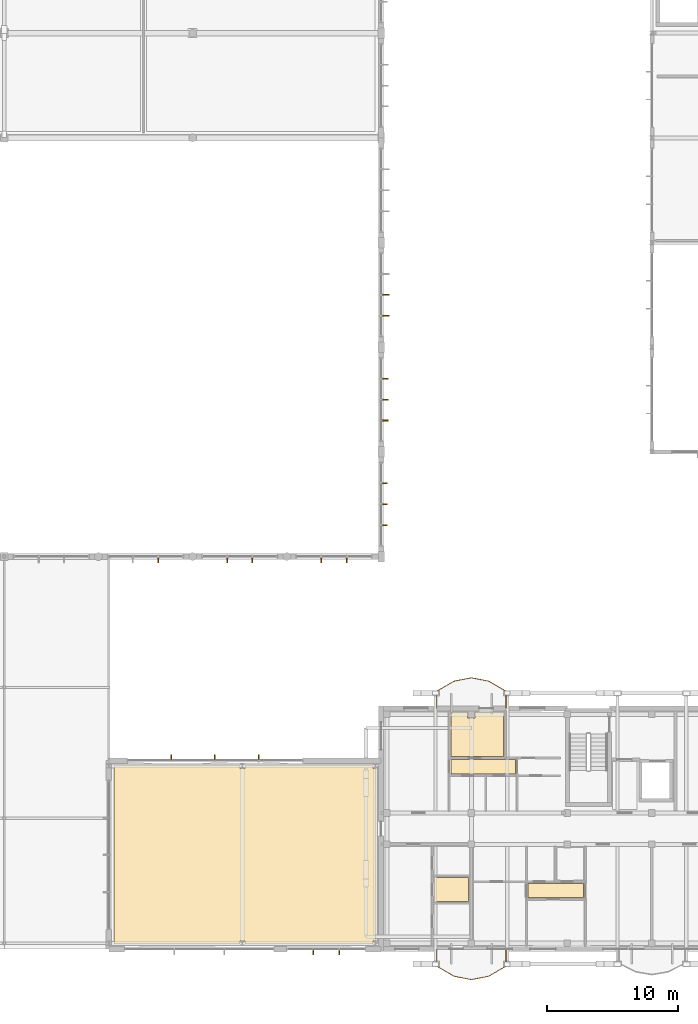
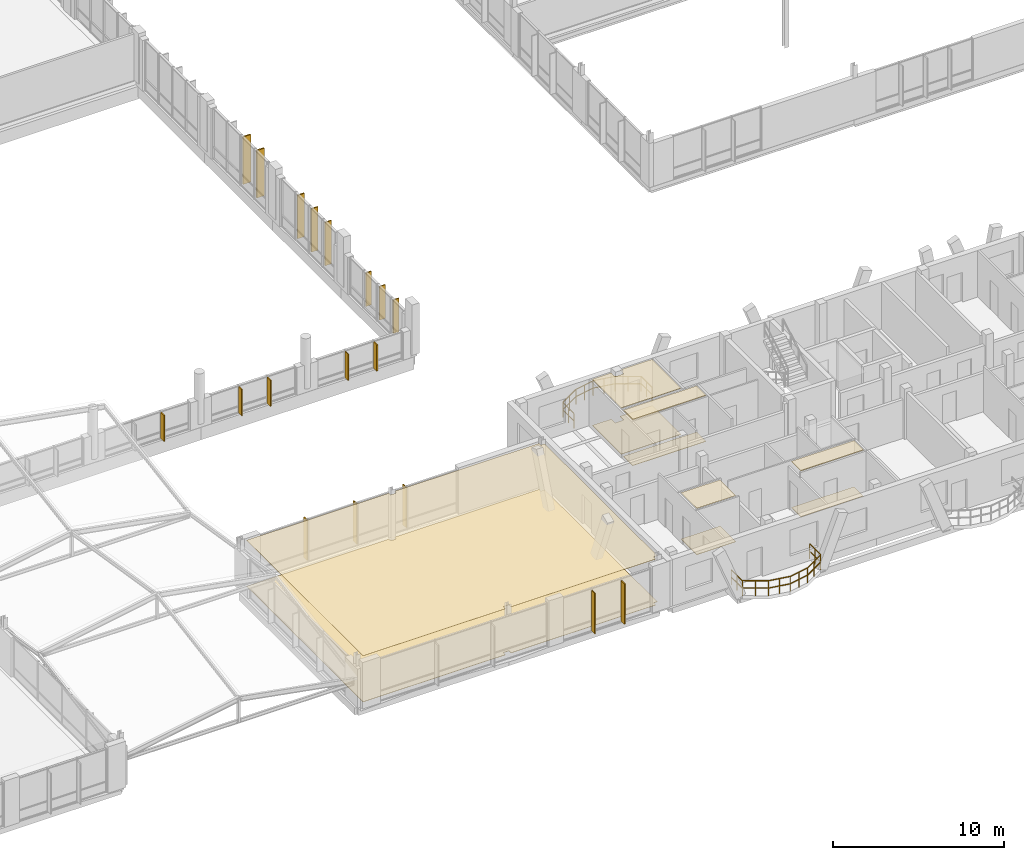
# One storey, part 175 of 189: 18 shading devices, 10 coverings, 2 railings.
"""IFC4 building model written with IfcOpenShell, lengths in metres."""

from ifc_helpers import new_model, si_unit, direction, frame, origin, origin_2d, place, context, subcontext, project, spatial, polyline, rectangle, outline, extrude, material, layer, layer_set, type_object, element, save


model = new_model("IFC4")

# Units and contexts
model_context = context("Model", 3, precision=1e-05, world=origin(), true_north=direction((0.0, 1.0)))
body_context = subcontext(model_context, "Body", "Model", "MODEL_VIEW")
ifc_project = project(units=[si_unit("LENGTHUNIT", "METRE"), si_unit("AREAUNIT", "SQUARE_METRE"), si_unit("VOLUMEUNIT", "CUBIC_METRE"), si_unit("PLANEANGLEUNIT", "RADIAN"), si_unit("MASSUNIT", "GRAM", prefix="KILO")], contexts=[model_context])

# Site, building, storey
site_placement = place(None, origin())
site = spatial("IfcSite", under=ifc_project, at=site_placement, CompositionType="ELEMENT")
building_placement = place(site_placement, origin())
building = spatial("IfcBuilding", under=site, at=building_placement, Name="Zavelmont Quarter", CompositionType="ELEMENT")
storey_placement = place(building_placement, frame((0.0, 0.0, 4.39990234375)))
storey = spatial("IfcBuildingStorey", under=building, at=storey_placement, Name="L01", CompositionType="ELEMENT", Elevation=4.39990234375)

# Coverings
ifc_material_1 = material(Name="Perforated acoustic gypsum board")
ifc_layer_1 = layer(ifc_material_1, 0.02490234375)
ifc_layer_set_1 = layer_set([ifc_layer_1], Name="Perforated acoustic gypsum board")
covering_type_1 = type_object("IfcCoveringType", Name="CV-CL01", PredefinedType="CEILING", material=ifc_layer_set_1)
covering_1_placement = place(storey_placement, frame((0.0, 0.0, 3.30517578125)))
element("IfcCovering", 1, at=covering_1_placement, inside=storey, type_object=covering_type_1, Name="L01 Master Bedroom acoustic ceiling", PredefinedType="CEILING", context=body_context, shape_type="SweptSolid", body=[
    extrude(outline(polyline([(118.1298828125, 18.1201171875), (119.409912109375, 18.1201171875), (119.409912109375, 17.669921875), (119.989990234375, 17.669921875), (119.989990234375, 18.1201171875), (122.169921875, 18.1201171875), (122.169921875, 14.72998046875), (118.1298828125, 14.72998046875), (118.1298828125, 18.1201171875)])), origin(), (0.0, 0.0, 1.0), 0.02490234375),
])
covering_2_placement = place(storey_placement, frame((0.0, 0.0, 3.28515625)))
element("IfcCovering", 2, at=covering_2_placement, inside=storey, type_object=covering_type_1, Name="L01 Artisan Co-Op Studio acoustic ceiling", PredefinedType="CEILING", context=body_context, shape_type="SweptSolid", body=[
    extrude(outline(polyline([(92.3798828125, 14.02001953125), (102.010009765625, 14.02001953125), (102.010009765625, 13.81005859375), (102.389892578125, 13.81005859375), (102.389892578125, 14.02001953125), (112.169921875, 14.02001953125), (112.169921875, 13.81005859375), (112.419921875, 13.81005859375), (112.419921875, 0.6298828125), (112.169921875, 0.6298828125), (112.169921875, 0.3798828125), (102.389892578125, 0.3798828125), (102.389892578125, 0.6298828125), (102.010009765625, 0.6298828125), (102.010009765625, 0.3798828125), (92.3798828125, 0.3798828125), (92.3798828125, 14.02001953125)])), origin(), (0.0, 0.0, 1.0), 0.02490234375),
])
ifc_material_2 = material(Name="Slatted European ash acoustic baffle ceiling")
ifc_layer_2 = layer(ifc_material_2, 0.0400390625)
ifc_layer_set_2 = layer_set([ifc_layer_2], Name="Slatted European ash acoustic baffle ceiling")
covering_type_2 = type_object("IfcCoveringType", Name="CV-CL02", PredefinedType="CEILING", material=ifc_layer_set_2)
covering_3_placement = place(storey_placement, frame((0.0, 0.0, 3.2900390625)))
element("IfcCovering", 3, at=covering_3_placement, inside=storey, type_object=covering_type_2, Name="L01 Apartment Hall acoustic ceiling", PredefinedType="CEILING", context=body_context, shape_type="SweptSolid", body=[
    extrude(outline(polyline([(124.030029296875, 5.02001953125), (128.27001953125, 5.02001953125), (128.27001953125, 3.929931640625), (124.030029296875, 3.929931640625), (124.030029296875, 5.02001953125)])), origin(), (0.0, 0.0, 1.0), 0.0400390625),
])
covering_4_placement = place(storey_placement, frame((0.0, 0.0, 3.2900390625)))
element("IfcCovering", 4, at=covering_4_placement, inside=storey, type_object=covering_type_2, Name="L01 Apartment Hall acoustic ceiling", PredefinedType="CEILING", context=body_context, shape_type="SweptSolid", body=[
    extrude(outline(polyline([(118.1298828125, 14.469970703125), (123.070068359375, 14.469970703125), (123.070068359375, 13.3798828125), (118.1298828125, 13.3798828125), (118.1298828125, 14.469970703125)])), origin(), (0.0, 0.0, 1.0), 0.0400390625),
])
ifc_material_3 = material(Name="Moisture-resistant painted gypsum ceiling")
ifc_layer_3 = layer(ifc_material_3, 0.02001953125)
ifc_layer_set_3 = layer_set([ifc_layer_3], Name="Moisture-resistant painted gypsum ceiling")
covering_type_3 = type_object("IfcCoveringType", Name="CV-CL04", PredefinedType="CEILING", material=ifc_layer_set_3)
covering_5_placement = place(storey_placement, frame((0.0, 0.0, 3.31005859375)))
element("IfcCovering", 5, at=covering_5_placement, inside=storey, type_object=covering_type_3, Name="L01 Bathroom acoustic ceiling", PredefinedType="CEILING", context=body_context, shape_type="SweptSolid", body=[
    extrude(outline(polyline([(116.830078125, 5.469970703125), (119.469970703125, 5.469970703125), (119.469970703125, 3.6298828125), (116.830078125, 3.6298828125), (116.830078125, 5.469970703125)])), origin(), (0.0, 0.0, 1.0), 0.02001953125),
])
ifc_material_4 = material(Name="Engineered European oak parquet")
ifc_layer_4 = layer(ifc_material_4, 0.02197265625)
ifc_layer_set_4 = layer_set([ifc_layer_4], Name="Engineered European oak parquet")
covering_type_4 = type_object("IfcCoveringType", Name="CV-FL01", PredefinedType="FLOORING", material=ifc_layer_set_4)
covering_6_placement = place(storey_placement, origin())
element("IfcCovering", 6, at=covering_6_placement, inside=storey, type_object=covering_type_4, Name="L01 Master Bedroom floor finish", PredefinedType="FLOORING", context=body_context, shape_type="SweptSolid", body=[
    extrude(outline(polyline([(118.1298828125, 18.1201171875), (119.409912109375, 18.1201171875), (119.409912109375, 17.669921875), (119.989990234375, 17.669921875), (119.989990234375, 18.1201171875), (122.169921875, 18.1201171875), (122.169921875, 14.72998046875), (118.1298828125, 14.72998046875), (118.1298828125, 18.1201171875)])), origin(), (0.0, 0.0, 1.0), 0.022216796875),
])
covering_7_placement = place(storey_placement, origin())
element("IfcCovering", 7, at=covering_7_placement, inside=storey, type_object=covering_type_4, Name="L01 Artisan Co-Op Studio floor finish", PredefinedType="FLOORING", context=body_context, shape_type="SweptSolid", body=[
    extrude(outline(polyline([(92.3798828125, 14.02001953125), (102.010009765625, 14.02001953125), (102.010009765625, 13.81005859375), (102.389892578125, 13.81005859375), (102.389892578125, 14.02001953125), (112.169921875, 14.02001953125), (112.169921875, 13.81005859375), (112.419921875, 13.81005859375), (112.419921875, 0.6298828125), (112.169921875, 0.6298828125), (112.169921875, 0.3798828125), (102.389892578125, 0.3798828125), (102.389892578125, 0.6298828125), (102.010009765625, 0.6298828125), (102.010009765625, 0.3798828125), (92.3798828125, 0.3798828125), (92.3798828125, 14.02001953125)])), origin(), (0.0, 0.0, 1.0), 0.022216796875),
])
ifc_material_5 = material(Name="Honed Belgian bluestone tile", Category="masonry")
ifc_layer_5 = layer(ifc_material_5, 0.030029296875)
ifc_layer_set_5 = layer_set([ifc_layer_5], Name="Honed Belgian bluestone tile")
covering_type_5 = type_object("IfcCoveringType", Name="CV-FL02", PredefinedType="FLOORING", material=ifc_layer_set_5)
covering_8_placement = place(storey_placement, origin())
element("IfcCovering", 8, at=covering_8_placement, inside=storey, type_object=covering_type_5, Name="L01 Apartment Hall floor finish", PredefinedType="FLOORING", context=body_context, shape_type="SweptSolid", body=[
    extrude(outline(polyline([(124.030029296875, 5.02001953125), (128.27001953125, 5.02001953125), (128.27001953125, 3.929931640625), (124.030029296875, 3.929931640625), (124.030029296875, 5.02001953125)])), origin(), (0.0, 0.0, 1.0), 0.030029296875),
])
covering_9_placement = place(storey_placement, origin())
element("IfcCovering", 9, at=covering_9_placement, inside=storey, type_object=covering_type_5, Name="L01 Apartment Hall floor finish", PredefinedType="FLOORING", context=body_context, shape_type="SweptSolid", body=[
    extrude(outline(polyline([(118.1298828125, 14.469970703125), (123.070068359375, 14.469970703125), (123.070068359375, 13.3798828125), (118.1298828125, 13.3798828125), (118.1298828125, 14.469970703125)])), origin(), (0.0, 0.0, 1.0), 0.030029296875),
])
ifc_material_6 = material(Name="Slip-resistant porcelain tile")
ifc_layer_6 = layer(ifc_material_6, 0.02587890625)
ifc_layer_set_6 = layer_set([ifc_layer_6], Name="Slip-resistant porcelain tile")
covering_type_6 = type_object("IfcCoveringType", Name="CV-FL04", PredefinedType="FLOORING", material=ifc_layer_set_6)
covering_10_placement = place(storey_placement, origin())
element("IfcCovering", 10, at=covering_10_placement, inside=storey, type_object=covering_type_6, Name="L01 Bathroom floor finish", PredefinedType="FLOORING", context=body_context, shape_type="SweptSolid", body=[
    extrude(outline(polyline([(116.830078125, 5.469970703125), (119.469970703125, 5.469970703125), (119.469970703125, 3.6298828125), (116.830078125, 3.6298828125), (116.830078125, 5.469970703125)])), origin(), (0.0, 0.0, 1.0), 0.026123046875),
])

# Railings
ifc_material_7 = material(Name="Powder-coated steel and tempered double safety glass", Category="steel")
railing_type = type_object("IfcRailingType", Name="RL-BAL1", PredefinedType="BALUSTRADE", material=ifc_material_7)
railing_1_placement = place(storey_placement, frame((117.050048828125, -0.02001953125, 0.0)))
element("IfcRailing", 11, at=railing_1_placement, inside=storey, type_object=railing_type, Name="L01 Block D curved balcony guard RL-BAL1", PredefinedType="BALUSTRADE", context=body_context, shape_type="SweptSolid", body=[
    extrude(rectangle(XDim=0.048095703125, YDim=0.048095703125, at=origin_2d()), frame((0.0, 0.0, 1.076171875), z_axis=(0.0, -1.0, 0.0), x_axis=(1.0, 0.0, 0.0)), (0.0, 0.0, 1.0), 1.290283203125),
    extrude(rectangle(XDim=0.048095703125, YDim=0.048095703125, at=origin_2d()), frame((0.0, 0.0, 0.550048828125), z_axis=(0.0, -1.0, 0.0), x_axis=(1.0, 0.0, 0.0)), (0.0, 0.0, 1.0), 1.290283203125),
    extrude(rectangle(XDim=0.048095703125, YDim=0.048095703125, at=origin_2d()), frame((0.0, -1.290283203125, 1.076171875), z_axis=(0.863969382225, -0.503544344201, 0.0), x_axis=(0.503544344201, 0.863969382225, 0.0)), (0.0, 0.0, 1.0), 1.533447265625),
    extrude(rectangle(XDim=0.048095703125, YDim=0.048095703125, at=origin_2d()), frame((0.0, -1.290283203125, 0.550048828125), z_axis=(0.863969382225, -0.503544344201, 0.0), x_axis=(0.503544344201, 0.863969382225, 0.0)), (0.0, 0.0, 1.0), 1.533447265625),
    extrude(rectangle(XDim=0.048095703125, YDim=0.048095703125, at=origin_2d()), frame((1.324951171875, -2.0625, 1.076171875), z_axis=(0.981623861045, -0.190826086862, 0.0), x_axis=(0.190826086862, 0.981623861045, 0.0)), (0.0, 0.0, 1.0), 1.349853515625),
    extrude(rectangle(XDim=0.048095703125, YDim=0.048095703125, at=origin_2d()), frame((1.324951171875, -2.0625, 0.550048828125), z_axis=(0.981623861045, -0.190826086862, 0.0), x_axis=(0.190826086862, 0.981623861045, 0.0)), (0.0, 0.0, 1.0), 1.349853515625),
    extrude(rectangle(XDim=0.048095703125, YDim=0.048095703125, at=origin_2d()), frame((2.64990234375, -2.320068359375, 1.076171875), z_axis=(0.981623861045, 0.190826086862, 0.0), x_axis=(-0.190826086862, 0.981623861045, 0.0)), (0.0, 0.0, 1.0), 1.349853515625),
    extrude(rectangle(XDim=0.048095703125, YDim=0.048095703125, at=origin_2d()), frame((2.64990234375, -2.320068359375, 0.550048828125), z_axis=(0.981623861045, 0.190826086862, 0.0), x_axis=(-0.190826086862, 0.981623861045, 0.0)), (0.0, 0.0, 1.0), 1.349853515625),
    extrude(rectangle(XDim=0.048095703125, YDim=0.048095703125, at=origin_2d()), frame((3.974853515625, -2.0625, 1.076171875), z_axis=(0.863969382225, 0.503544344201, 0.0), x_axis=(-0.503544344201, 0.863969382225, 0.0)), (0.0, 0.0, 1.0), 1.533447265625),
    extrude(rectangle(XDim=0.048095703125, YDim=0.048095703125, at=origin_2d()), frame((3.974853515625, -2.0625, 0.550048828125), z_axis=(0.863969382225, 0.503544344201, 0.0), x_axis=(-0.503544344201, 0.863969382225, 0.0)), (0.0, 0.0, 1.0), 1.533447265625),
    extrude(rectangle(XDim=0.048095703125, YDim=0.048095703125, at=origin_2d()), frame((5.2998046875, -1.290283203125, 1.076171875), z_axis=(0.0, 1.0, 0.0), x_axis=(-1.0, 0.0, 0.0)), (0.0, 0.0, 1.0), 1.290283203125),
    extrude(rectangle(XDim=0.048095703125, YDim=0.048095703125, at=origin_2d()), frame((5.2998046875, -1.290283203125, 0.550048828125), z_axis=(0.0, 1.0, 0.0), x_axis=(-1.0, 0.0, 0.0)), (0.0, 0.0, 1.0), 1.290283203125),
    extrude(rectangle(XDim=0.0419921875, YDim=0.0419921875, at=origin_2d()), origin(), (0.0, 0.0, 1.0), 1.052001953125),
    extrude(rectangle(XDim=0.0419921875, YDim=0.0419921875, at=origin_2d()), frame((0.0, -0.64501953125, 0.0)), (0.0, 0.0, 1.0), 1.052001953125),
    extrude(rectangle(XDim=0.0419921875, YDim=0.0419921875, at=origin_2d()), frame((0.0, -1.290283203125, 0.0)), (0.0, 0.0, 1.0), 1.052001953125),
    extrude(rectangle(XDim=0.0419921875, YDim=0.0419921875, at=origin_2d()), frame((0.66259765625, -1.67626953125, 0.0)), (0.0, 0.0, 1.0), 1.052001953125),
    extrude(rectangle(XDim=0.0419921875, YDim=0.0419921875, at=origin_2d()), frame((1.324951171875, -2.0625, 0.0)), (0.0, 0.0, 1.0), 1.052001953125),
    extrude(rectangle(XDim=0.0419921875, YDim=0.0419921875, at=origin_2d()), frame((1.9873046875, -2.19140625, 0.0)), (0.0, 0.0, 1.0), 1.052001953125),
    extrude(rectangle(XDim=0.0419921875, YDim=0.0419921875, at=origin_2d()), frame((2.64990234375, -2.320068359375, 0.0)), (0.0, 0.0, 1.0), 1.052001953125),
    extrude(rectangle(XDim=0.0419921875, YDim=0.0419921875, at=origin_2d()), frame((3.3125, -2.19140625, 0.0)), (0.0, 0.0, 1.0), 1.052001953125),
    extrude(rectangle(XDim=0.0419921875, YDim=0.0419921875, at=origin_2d()), frame((3.974853515625, -2.0625, 0.0)), (0.0, 0.0, 1.0), 1.052001953125),
    extrude(rectangle(XDim=0.0419921875, YDim=0.0419921875, at=origin_2d()), frame((4.63720703125, -1.67626953125, 0.0)), (0.0, 0.0, 1.0), 1.052001953125),
    extrude(rectangle(XDim=0.0419921875, YDim=0.0419921875, at=origin_2d()), frame((5.2998046875, -1.290283203125, 0.0)), (0.0, 0.0, 1.0), 1.052001953125),
    extrude(rectangle(XDim=0.0419921875, YDim=0.0419921875, at=origin_2d()), frame((5.2998046875, -0.64501953125, 0.0)), (0.0, 0.0, 1.0), 1.052001953125),
    extrude(rectangle(XDim=0.0419921875, YDim=0.0419921875, at=origin_2d()), frame((5.2998046875, 0.0, 0.0)), (0.0, 0.0, 1.0), 1.052001953125),
])
railing_2_placement = place(storey_placement, frame((122.349853515625, 18.419921875, 0.0)))
element("IfcRailing", 12, at=railing_2_placement, inside=storey, type_object=railing_type, Name="L01 Block D curved balcony guard RL-BAL1", PredefinedType="BALUSTRADE", context=body_context, shape_type="SweptSolid", body=[
    extrude(rectangle(XDim=0.048095703125, YDim=0.048095703125, at=origin_2d()), frame((0.0, 0.0, 1.076171875), z_axis=(0.0, 1.0, 0.0), x_axis=(-1.0, 0.0, 0.0)), (0.0, 0.0, 1.0), 1.29052734375),
    extrude(rectangle(XDim=0.048095703125, YDim=0.048095703125, at=origin_2d()), frame((0.0, 0.0, 0.550048828125), z_axis=(0.0, 1.0, 0.0), x_axis=(-1.0, 0.0, 0.0)), (0.0, 0.0, 1.0), 1.29052734375),
    extrude(rectangle(XDim=0.048095703125, YDim=0.048095703125, at=origin_2d()), frame((0.0, 1.29052734375, 1.076171875), z_axis=(-0.863969382225, 0.503544344201, 0.0), x_axis=(-0.503544344201, -0.863969382225, 0.0)), (0.0, 0.0, 1.0), 1.533447265625),
    extrude(rectangle(XDim=0.048095703125, YDim=0.048095703125, at=origin_2d()), frame((0.0, 1.29052734375, 0.550048828125), z_axis=(-0.863969382225, 0.503544344201, 0.0), x_axis=(-0.503544344201, -0.863969382225, 0.0)), (0.0, 0.0, 1.0), 1.533447265625),
    extrude(rectangle(XDim=0.048095703125, YDim=0.048095703125, at=origin_2d()), frame((-1.324951171875, 2.062744140625, 1.076171875), z_axis=(-0.981657728669, 0.190651786626, 0.0), x_axis=(-0.190651786626, -0.981657728669, 0.0)), (0.0, 0.0, 1.0), 1.349609375),
    extrude(rectangle(XDim=0.048095703125, YDim=0.048095703125, at=origin_2d()), frame((-1.324951171875, 2.062744140625, 0.550048828125), z_axis=(-0.981657728669, 0.190651786626, 0.0), x_axis=(-0.190651786626, -0.981657728669, 0.0)), (0.0, 0.0, 1.0), 1.349609375),
    extrude(rectangle(XDim=0.048095703125, YDim=0.048095703125, at=origin_2d()), frame((-2.64990234375, 2.320068359375, 1.076171875), z_axis=(-0.981657728669, -0.190651786626, 0.0), x_axis=(0.190651786626, -0.981657728669, 0.0)), (0.0, 0.0, 1.0), 1.349609375),
    extrude(rectangle(XDim=0.048095703125, YDim=0.048095703125, at=origin_2d()), frame((-2.64990234375, 2.320068359375, 0.550048828125), z_axis=(-0.981657728669, -0.190651786626, 0.0), x_axis=(0.190651786626, -0.981657728669, 0.0)), (0.0, 0.0, 1.0), 1.349609375),
    extrude(rectangle(XDim=0.048095703125, YDim=0.048095703125, at=origin_2d()), frame((-3.974853515625, 2.062744140625, 1.076171875), z_axis=(-0.863969382225, -0.503544344201, 0.0), x_axis=(0.503544344201, -0.863969382225, 0.0)), (0.0, 0.0, 1.0), 1.533447265625),
    extrude(rectangle(XDim=0.048095703125, YDim=0.048095703125, at=origin_2d()), frame((-3.974853515625, 2.062744140625, 0.550048828125), z_axis=(-0.863969382225, -0.503544344201, 0.0), x_axis=(0.503544344201, -0.863969382225, 0.0)), (0.0, 0.0, 1.0), 1.533447265625),
    extrude(rectangle(XDim=0.048095703125, YDim=0.048095703125, at=origin_2d()), frame((-5.2998046875, 1.29052734375, 1.076171875), z_axis=(0.0, -1.0, 0.0), x_axis=(1.0, 0.0, 0.0)), (0.0, 0.0, 1.0), 1.29052734375),
    extrude(rectangle(XDim=0.048095703125, YDim=0.048095703125, at=origin_2d()), frame((-5.2998046875, 1.29052734375, 0.550048828125), z_axis=(0.0, -1.0, 0.0), x_axis=(1.0, 0.0, 0.0)), (0.0, 0.0, 1.0), 1.29052734375),
    extrude(rectangle(XDim=0.0419921875, YDim=0.0419921875, at=origin_2d()), origin(), (0.0, 0.0, 1.0), 1.052001953125),
    extrude(rectangle(XDim=0.0419921875, YDim=0.0419921875, at=origin_2d()), frame((0.0, 0.645263671875, 0.0)), (0.0, 0.0, 1.0), 1.052001953125),
    extrude(rectangle(XDim=0.0419921875, YDim=0.0419921875, at=origin_2d()), frame((0.0, 1.29052734375, 0.0)), (0.0, 0.0, 1.0), 1.052001953125),
    extrude(rectangle(XDim=0.0419921875, YDim=0.0419921875, at=origin_2d()), frame((-0.66259765625, 1.6767578125, 0.0)), (0.0, 0.0, 1.0), 1.052001953125),
    extrude(rectangle(XDim=0.0419921875, YDim=0.0419921875, at=origin_2d()), frame((-1.324951171875, 2.062744140625, 0.0)), (0.0, 0.0, 1.0), 1.052001953125),
    extrude(rectangle(XDim=0.0419921875, YDim=0.0419921875, at=origin_2d()), frame((-1.9873046875, 2.19140625, 0.0)), (0.0, 0.0, 1.0), 1.052001953125),
    extrude(rectangle(XDim=0.0419921875, YDim=0.0419921875, at=origin_2d()), frame((-2.64990234375, 2.320068359375, 0.0)), (0.0, 0.0, 1.0), 1.052001953125),
    extrude(rectangle(XDim=0.0419921875, YDim=0.0419921875, at=origin_2d()), frame((-3.3125, 2.19140625, 0.0)), (0.0, 0.0, 1.0), 1.052001953125),
    extrude(rectangle(XDim=0.0419921875, YDim=0.0419921875, at=origin_2d()), frame((-3.974853515625, 2.062744140625, 0.0)), (0.0, 0.0, 1.0), 1.052001953125),
    extrude(rectangle(XDim=0.0419921875, YDim=0.0419921875, at=origin_2d()), frame((-4.63720703125, 1.6767578125, 0.0)), (0.0, 0.0, 1.0), 1.052001953125),
    extrude(rectangle(XDim=0.0419921875, YDim=0.0419921875, at=origin_2d()), frame((-5.2998046875, 1.29052734375, 0.0)), (0.0, 0.0, 1.0), 1.052001953125),
    extrude(rectangle(XDim=0.0419921875, YDim=0.0419921875, at=origin_2d()), frame((-5.2998046875, 0.645263671875, 0.0)), (0.0, 0.0, 1.0), 1.052001953125),
    extrude(rectangle(XDim=0.0419921875, YDim=0.0419921875, at=origin_2d()), frame((-5.2998046875, 0.0, 0.0)), (0.0, 0.0, 1.0), 1.052001953125),
])

# Shading devices
ifc_material_8 = material(Name="Anodised aluminium EN AW-6063-T6", Category="aluminium")
shading_device_type_1 = type_object("IfcShadingDeviceType", Name="SD02", PredefinedType="JALOUSIE", material=ifc_material_8)
for number, where, z_axis, x_axis, name in (
    (13, (113.114990234375, 40.39990234375, -0.22998046875), (0.0, 0.0, 1.0), (0.0, 1.0, 0.0), "L01 solar brise-soleil fin SD02"),
    (14, (113.114990234375, 42.0, -0.22998046875), (0.0, 0.0, 1.0), (0.0, 1.0, 0.0), "L01 solar brise-soleil fin SD02"),
    (15, (113.114990234375, 43.60009765625, -0.22998046875), (0.0, 0.0, 1.0), (0.0, 1.0, 0.0), "L01 solar brise-soleil fin SD02"),
):
    element("IfcShadingDevice", number, at=place(storey_placement, frame(where, z_axis=z_axis, x_axis=x_axis)), inside=storey, type_object=shading_device_type_1, Name=name, PredefinedType="JALOUSIE", context=body_context, shape_type="SweptSolid", body=[
        extrude(rectangle(XDim=0.080078125, YDim=0.449951171875, at=origin_2d()), origin(), (0.0, 0.0, 1.0), 3.10009765625),
    ])
shading_device_type_2 = type_object("IfcShadingDeviceType", Name="SD04", PredefinedType="JALOUSIE", material=ifc_material_8)
for number, where, z_axis, x_axis, name in (
    (16, (113.14990234375, 48.39990234375, -0.229736328125), (0.0, 0.0, 1.0), (0.0, 1.0, 0.0), "L01 solar brise-soleil fin SD04"),
    (17, (113.14990234375, 50.0, -0.229736328125), (0.0, 0.0, 1.0), (0.0, 1.0, 0.0), "L01 solar brise-soleil fin SD04"),
):
    element("IfcShadingDevice", number, at=place(storey_placement, frame(where, z_axis=z_axis, x_axis=x_axis)), inside=storey, type_object=shading_device_type_2, Name=name, PredefinedType="JALOUSIE", context=body_context, shape_type="SweptSolid", body=[
        extrude(rectangle(XDim=0.090087890625, YDim=0.52001953125, at=origin_2d()), origin(), (0.0, 0.0, 1.0), 3.39990234375),
    ])
shading_device_type_3 = type_object("IfcShadingDeviceType", Name="SD05", PredefinedType="JALOUSIE", material=ifc_material_8)
for number, where, z_axis, x_axis, name in (
    (18, (107.60009765625, -0.260009765625, 0.050048828125), (0.0, 0.0, 1.0), (1.0, 0.0, 0.0), "L01 solar brise-soleil fin SD05"),
    (19, (109.60009765625, -0.260009765625, 0.050048828125), (0.0, 0.0, 1.0), (1.0, 0.0, 0.0), "L01 solar brise-soleil fin SD05"),
    (20, (96.75, 14.659912109375, 0.050048828125), (0.0, 0.0, 1.0), (1.0, 0.0, 0.0), "L01 solar brise-soleil fin SD05"),
    (21, (100.10009765625, 14.659912109375, 0.050048828125), (0.0, 0.0, 1.0), (1.0, 0.0, 0.0), "L01 solar brise-soleil fin SD05"),
    (22, (103.449951171875, 14.659912109375, 0.050048828125), (0.0, 0.0, 1.0), (1.0, 0.0, 0.0), "L01 solar brise-soleil fin SD05"),
):
    element("IfcShadingDevice", number, at=place(storey_placement, frame(where, z_axis=z_axis, x_axis=x_axis)), inside=storey, type_object=shading_device_type_3, Name=name, PredefinedType="JALOUSIE", context=body_context, shape_type="SweptSolid", body=[
        extrude(rectangle(XDim=0.070068359375, YDim=0.3798828125, at=origin_2d()), origin(), (0.0, 0.0, 1.0), 2.89990234375),
    ])
shading_device_type_4 = type_object("IfcShadingDeviceType", Name="SD06", PredefinedType="JALOUSIE", material=ifc_material_8)
for number, where, z_axis, x_axis, name in (
    (23, (113.080078125, 32.39990234375, -0.229736328125), (0.0, 0.0, 1.0), (0.0, 1.0, 0.0), "L01 solar brise-soleil fin SD06"),
    (24, (113.080078125, 34.0, -0.229736328125), (0.0, 0.0, 1.0), (0.0, 1.0, 0.0), "L01 solar brise-soleil fin SD06"),
    (25, (113.080078125, 35.60009765625, -0.229736328125), (0.0, 0.0, 1.0), (0.0, 1.0, 0.0), "L01 solar brise-soleil fin SD06"),
):
    element("IfcShadingDevice", number, at=place(storey_placement, frame(where, z_axis=z_axis, x_axis=x_axis)), inside=storey, type_object=shading_device_type_4, Name=name, PredefinedType="JALOUSIE", context=body_context, shape_type="SweptSolid", body=[
        extrude(rectangle(XDim=0.070068359375, YDim=0.3798828125, at=origin_2d()), origin(), (0.0, 0.0, 1.0), 2.39990234375),
    ])
for number, where, z_axis, x_axis, name in (
    (26, (95.7666015625, 29.719970703125, -0.22998046875), (0.0, 0.0, 1.0), (1.0, 0.0, 0.0), "L01 solar brise-soleil fin SD06"),
    (27, (101.033203125, 29.719970703125, -0.22998046875), (0.0, 0.0, 1.0), (1.0, 0.0, 0.0), "L01 solar brise-soleil fin SD06"),
    (28, (102.966796875, 29.719970703125, -0.22998046875), (0.0, 0.0, 1.0), (1.0, 0.0, 0.0), "L01 solar brise-soleil fin SD06"),
    (29, (108.2333984375, 29.719970703125, -0.22998046875), (0.0, 0.0, 1.0), (1.0, 0.0, 0.0), "L01 solar brise-soleil fin SD06"),
    (30, (110.166748046875, 29.719970703125, -0.22998046875), (0.0, 0.0, 1.0), (1.0, 0.0, 0.0), "L01 solar brise-soleil fin SD06"),
):
    element("IfcShadingDevice", number, at=place(storey_placement, frame(where, z_axis=z_axis, x_axis=x_axis)), inside=storey, type_object=shading_device_type_4, Name=name, PredefinedType="JALOUSIE", context=body_context, shape_type="SweptSolid", body=[
        extrude(rectangle(XDim=0.070068359375, YDim=0.3798828125, at=origin_2d()), origin(), (0.0, 0.0, 1.0), 1.875),
    ])

save(model, "model.ifc")
